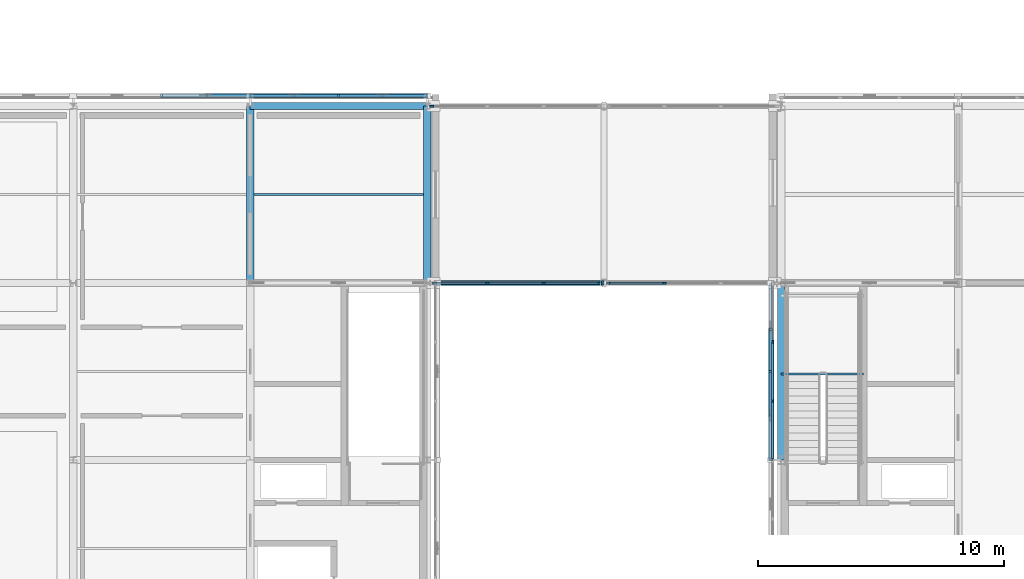
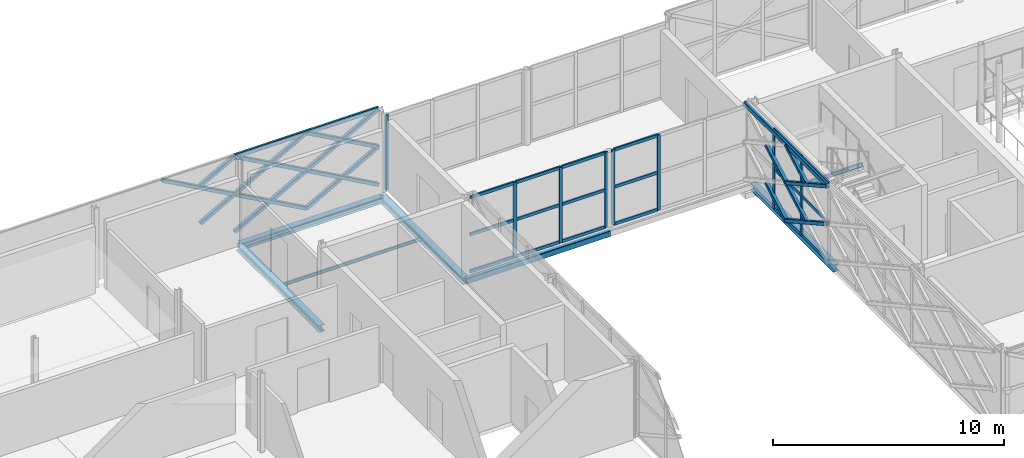
# One storey, part 25 of 126: 49 members, 7 beams, 4 elements without a shape of their own.
"""IFC4 building model written with IfcOpenShell, lengths in metres."""

from ifc_helpers import new_model, si_unit, direction, frame, origin, origin_2d, place, context, subcontext, project, spatial, rectangle, hollow_rectangle, i_section, extrude, material, material_profile, profile_set, type_object, element, aggregate, save


model = new_model("IFC4")

# Units and contexts
model_context = context("Model", 3, precision=1e-05, world=origin(), true_north=direction((0.0, 1.0)))
body_context = subcontext(model_context, "Body", "Model", "MODEL_VIEW")
ifc_project = project(units=[si_unit("LENGTHUNIT", "METRE"), si_unit("AREAUNIT", "SQUARE_METRE"), si_unit("VOLUMEUNIT", "CUBIC_METRE"), si_unit("PLANEANGLEUNIT", "RADIAN"), si_unit("MASSUNIT", "GRAM", prefix="KILO")], contexts=[model_context])

# Site, building, storey
site_placement = place(None, origin())
site = spatial("IfcSite", under=ifc_project, at=site_placement, CompositionType="ELEMENT")
building_placement = place(site_placement, origin())
building = spatial("IfcBuilding", under=site, at=building_placement, Name="Zlatovets Crest Museum", CompositionType="ELEMENT")
storey_placement = place(building_placement, frame((0.0, 0.0, 8.699951171875)))
storey = spatial("IfcBuildingStorey", under=building, at=storey_placement, Name="L02", CompositionType="ELEMENT", Elevation=8.699951171875)

# Beams
ifc_material_1 = material(Name="Structural steel S355J2", Category="steel")
ifc_material_profile_1 = material_profile(ifc_material_1, i_section(OverallWidth=0.300048828125, OverallDepth=0.35009765625, WebThickness=0.010009765625, FlangeThickness=0.017578125, FilletRadius=0.027099609375, at=origin_2d()), Name="HEA 360")
ifc_profile_set_1 = profile_set([ifc_material_profile_1], Name="Structural steel S355J2")
beam_type_1 = type_object("IfcBeamType", Name="Beam_B-03", PredefinedType="BEAM", material=ifc_profile_set_1)
beam_1_placement = place(storey_placement, frame((57.60009765625, 14.39990234375, -0.39501953125), z_axis=(0.0, 1.0, 0.0), x_axis=(-1.0, 0.0, 0.0)))
element("IfcBeam", 1, at=beam_1_placement, inside=storey, type_object=beam_type_1, Name="V2 L02 Grid Beam B-03", PredefinedType="BEAM", context=body_context, shape_type="SweptSolid", body=[
    extrude(i_section(OverallWidth=0.300048828125, OverallDepth=0.35009765625, WebThickness=0.010009765625, FlangeThickness=0.017578125, FilletRadius=0.027099609375, at=origin_2d()), origin(), (0.0, 0.0, 1.0), 7.2001953125),
])
for number, where, z_axis, x_axis, name in (
    (2, (36.0, 21.60009765625, -0.39501953125), (0.0, 1.0, 0.0), (-1.0, 0.0, 0.0), "V3 L02 Grid Beam B-03"),
    (3, (43.199951171875, 21.60009765625, -0.39501953125), (0.0, 1.0, 0.0), (-1.0, 0.0, 0.0), "V3 L02 Grid Beam B-03"),
):
    element("IfcBeam", number, at=place(storey_placement, frame(where, z_axis=z_axis, x_axis=x_axis)), inside=storey, type_object=beam_type_1, Name=name, PredefinedType="BEAM", context=body_context, shape_type="SweptSolid", body=[
        extrude(i_section(OverallWidth=0.300048828125, OverallDepth=0.35009765625, WebThickness=0.010009765625, FlangeThickness=0.017578125, FilletRadius=0.027099609375, at=origin_2d()), origin(), (0.0, 0.0, 1.0), 7.199951171875),
    ])
ifc_material_profile_2 = material_profile(ifc_material_1, i_section(OverallWidth=0.300048828125, OverallDepth=0.330078125, WebThickness=0.009521484375, FlangeThickness=0.0166015625, FilletRadius=0.027099609375, at=origin_2d()), Name="HEA 340")
ifc_profile_set_2 = profile_set([ifc_material_profile_2], Name="Structural steel S355J2")
beam_type_2 = type_object("IfcBeamType", Name="Beam_B-11", PredefinedType="BEAM", material=ifc_profile_set_2)
beam_2_placement = place(storey_placement, frame((36.0, 28.800048828125, -0.385009765625), z_axis=(1.0, 0.0, 0.0), x_axis=(0.0, 1.0, 0.0)))
element("IfcBeam", 4, at=beam_2_placement, inside=storey, type_object=beam_type_2, Name="V3 L02 Primary Girder B-11", PredefinedType="BEAM", context=body_context, shape_type="SweptSolid", body=[
    extrude(i_section(OverallWidth=0.300048828125, OverallDepth=0.330078125, WebThickness=0.009521484375, FlangeThickness=0.0166015625, FilletRadius=0.027099609375, at=origin_2d()), origin(), (0.0, 0.0, 1.0), 7.199951171875),
])
ifc_material_profile_3 = material_profile(ifc_material_1, hollow_rectangle(XDim=0.199951171875, YDim=0.300048828125, WallThickness=0.012451171875, InnerFilletRadius=0.012451171875, OuterFilletRadius=0.02490234375, at=origin_2d()), Name="RHS 200x300x12.5")
ifc_profile_set_3 = profile_set([ifc_material_profile_3], Name="Structural steel S355J2")
beam_type_3 = type_object("IfcBeamType", Name="Beam_BRG-01", PredefinedType="BEAM", material=ifc_profile_set_3)
beam_3_placement = place(storey_placement, frame((43.199951171875, 21.60009765625, -0.369873046875), z_axis=(1.0, 0.0, 0.0), x_axis=(0.0, 1.0, 0.0)))
element("IfcBeam", 5, at=beam_3_placement, inside=storey, type_object=beam_type_3, Name="South Forecourt Glazed Link Bridge L02 Stringer Beam", PredefinedType="BEAM", context=body_context, shape_type="SweptSolid", body=[
    extrude(hollow_rectangle(XDim=0.199951171875, YDim=0.300048828125, WallThickness=0.012451171875, InnerFilletRadius=0.012451171875, OuterFilletRadius=0.02490234375, at=origin_2d()), origin(), (0.0, 0.0, 1.0), 7.199951171875),
])
ifc_material_profile_4 = material_profile(ifc_material_1, i_section(OverallWidth=0.08203125, OverallDepth=0.159912109375, WebThickness=0.0048828125, FlangeThickness=0.00732421875, FilletRadius=0.009033203125, at=origin_2d()), Name="IPE 160")
ifc_profile_set_4 = profile_set([ifc_material_profile_4], Name="Structural steel S355J2")
beam_type_4 = type_object("IfcBeamType", Name="Beam_J-12", PredefinedType="JOIST", material=ifc_profile_set_4)
beam_4_placement = place(storey_placement, frame((36.14990234375, 25.199951171875, -0.300048828125), z_axis=(1.0, 0.0, 0.0), x_axis=(0.0, 1.0, 0.0)))
element("IfcBeam", 6, at=beam_4_placement, inside=storey, type_object=beam_type_4, Name="V3 L02 Composite Joist J-12", PredefinedType="JOIST", context=body_context, shape_type="SweptSolid", body=[
    extrude(i_section(OverallWidth=0.08203125, OverallDepth=0.159912109375, WebThickness=0.0048828125, FlangeThickness=0.00732421875, FilletRadius=0.009033203125, at=origin_2d()), origin(), (0.0, 0.0, 1.0), 6.900146484375),
])
ifc_material_profile_5 = material_profile(ifc_material_1, i_section(OverallWidth=0.10009765625, OverallDepth=0.199951171875, WebThickness=0.005615234375, FlangeThickness=0.008544921875, FilletRadius=0.011962890625, at=origin_2d()), Name="IPE 200")
ifc_profile_set_5 = profile_set([ifc_material_profile_5], Name="Structural steel S355J2")
beam_type_5 = type_object("IfcBeamType", Name="Beam_PR-02", PredefinedType="LINTEL", material=ifc_profile_set_5)
beam_5_placement = place(storey_placement, frame((57.60009765625, 17.89990234375, 1.800048828125), z_axis=(1.0, 0.0, 0.0), x_axis=(0.0, 1.0, 0.0)))
element("IfcBeam", 7, at=beam_5_placement, inside=storey, type_object=beam_type_5, Name="Core C2 L02 Half-Landing Support Beam", PredefinedType="LINTEL", context=body_context, shape_type="SweptSolid", body=[
    extrude(i_section(OverallWidth=0.10009765625, OverallDepth=0.199951171875, WebThickness=0.005615234375, FlangeThickness=0.008544921875, FilletRadius=0.011962890625, at=origin_2d()), origin(), (0.0, 0.0, 1.0), 3.349853515625),
])

# Curtain wall, members
ifc_material_2 = material(Name="Bronze-anodised aluminium and low-E triple glass", Category="aluminium")
curtain_wall_type_1 = type_object("IfcCurtainWallType", Name="CW_CW-V2-L02-M3", PredefinedType="NOTDEFINED", material=ifc_material_2)
curtain_wall_1_placement = place(storey_placement, origin())
curtain_wall_1 = element("IfcCurtainWall", 8, at=curtain_wall_1_placement, inside=storey, type_object=curtain_wall_type_1, Name="V2 L02 Expressed Core Glazed Facade", PredefinedType="NOTDEFINED")
ifc_material_3 = material(Name="Bronze-anodised aluminium EN AW-6060", Category="aluminium")
ifc_material_profile_6 = material_profile(ifc_material_3, rectangle(XDim=0.080078125, YDim=0.159912109375, at=origin_2d()), Name="ALU 80x160")
ifc_profile_set_6 = profile_set([ifc_material_profile_6], Name="Bronze-anodised aluminium EN AW-6060")
member_type_1 = type_object("IfcMemberType", Name="CWMull_M1", PredefinedType="MULLION", material=ifc_profile_set_6)
member_1_placement = place(storey_placement, frame((57.260009765625, 19.199951171875, 0.0), z_axis=(0.0, 0.0, 1.0), x_axis=(1.0, 0.0, 0.0)))
member_1 = element("IfcMember", 9, at=member_1_placement, type_object=member_type_1, Name="CW-V2-L02-M3 mullion 2", PredefinedType="MULLION", context=body_context, shape_type="SweptSolid", body=[
    extrude(rectangle(XDim=0.080078125, YDim=0.159912109375, at=origin_2d()), origin(), (0.0, 0.0, 1.0), 4.199951171875),
])
member_2_placement = place(storey_placement, frame((57.260009765625, 16.800048828125, 0.0), z_axis=(0.0, 0.0, 1.0), x_axis=(1.0, 0.0, 0.0)))
member_2 = element("IfcMember", 10, at=member_2_placement, type_object=member_type_1, Name="CW-V2-L02-M3 mullion 3", PredefinedType="MULLION", context=body_context, shape_type="SweptSolid", body=[
    extrude(rectangle(XDim=0.080078125, YDim=0.159912109375, at=origin_2d()), origin(), (0.0, 0.0, 1.0), 4.199951171875),
])

curtain_wall_type_2 = type_object("IfcCurtainWallType", Name="CW_CW-BR1-L02-S69", PredefinedType="NOTDEFINED", material=ifc_material_2)
curtain_wall_2_placement = place(storey_placement, origin())
curtain_wall_2 = element("IfcCurtainWall", 11, at=curtain_wall_2_placement, inside=storey, type_object=curtain_wall_type_2, Name="South Forecourt Glazed Link Bridge L02 Glazed Bridge Curtain Wall", PredefinedType="NOTDEFINED")
member_3_placement = place(storey_placement, frame((45.64990234375, 21.60009765625, 0.0), z_axis=(0.0, 0.0, 1.0), x_axis=(0.0, 1.0, 0.0)))
member_3 = element("IfcMember", 12, at=member_3_placement, type_object=member_type_1, Name="CW-BR1-L02-S69 mullion 2", PredefinedType="MULLION", context=body_context, shape_type="SweptSolid", body=[
    extrude(rectangle(XDim=0.080078125, YDim=0.159912109375, at=origin_2d()), origin(), (0.0, 0.0, 1.0), 3.97998046875),
])
member_4_placement = place(storey_placement, frame((47.949951171875, 21.60009765625, 0.0), z_axis=(0.0, 0.0, 1.0), x_axis=(0.0, 1.0, 0.0)))
member_4 = element("IfcMember", 13, at=member_4_placement, type_object=member_type_1, Name="CW-BR1-L02-S69 mullion 3", PredefinedType="MULLION", context=body_context, shape_type="SweptSolid", body=[
    extrude(rectangle(XDim=0.080078125, YDim=0.159912109375, at=origin_2d()), origin(), (0.0, 0.0, 1.0), 3.97998046875),
])
member_5_placement = place(storey_placement, frame((50.219970703125, 21.60009765625, 0.0), z_axis=(0.0, 0.0, 1.0), x_axis=(0.0, 1.0, 0.0)))
member_5 = element("IfcMember", 14, at=member_5_placement, type_object=member_type_1, Name="CW-BR1-L02-S69 mullion 4", PredefinedType="MULLION", context=body_context, shape_type="SweptSolid", body=[
    extrude(rectangle(XDim=0.080078125, YDim=0.159912109375, at=origin_2d()), origin(), (0.0, 0.0, 1.0), 3.97998046875),
])

curtain_wall_3_placement = place(storey_placement, origin())
curtain_wall_3 = element("IfcCurtainWall", 15, at=curtain_wall_3_placement, inside=storey, type_object=curtain_wall_type_2, Name="South Forecourt Glazed Link Bridge L02 Glazed Bridge Curtain Wall", PredefinedType="NOTDEFINED")
member_6_placement = place(storey_placement, frame((50.580078125, 21.60009765625, 0.0), z_axis=(0.0, 0.0, 1.0), x_axis=(0.0, 1.0, 0.0)))
member_6 = element("IfcMember", 16, at=member_6_placement, type_object=member_type_1, Name="CW-BR1-L02-S69 mullion 1", PredefinedType="MULLION", context=body_context, shape_type="SweptSolid", body=[
    extrude(rectangle(XDim=0.080078125, YDim=0.159912109375, at=origin_2d()), origin(), (0.0, 0.0, 1.0), 3.97998046875),
])
member_7_placement = place(storey_placement, frame((52.85009765625, 21.60009765625, 0.0), z_axis=(0.0, 0.0, 1.0), x_axis=(0.0, 1.0, 0.0)))
member_7 = element("IfcMember", 17, at=member_7_placement, type_object=member_type_1, Name="CW-BR1-L02-S69 mullion 2", PredefinedType="MULLION", context=body_context, shape_type="SweptSolid", body=[
    extrude(rectangle(XDim=0.080078125, YDim=0.159912109375, at=origin_2d()), origin(), (0.0, 0.0, 1.0), 3.97998046875),
])

# Curtain wall, member
curtain_wall_4_placement = place(storey_placement, origin())
curtain_wall_4 = element("IfcCurtainWall", 18, at=curtain_wall_4_placement, inside=storey, type_object=curtain_wall_type_2, Name="South Forecourt Glazed Link Bridge L02 Glazed Bridge Curtain Wall", PredefinedType="NOTDEFINED")
member_8_placement = place(storey_placement, frame((43.3798828125, 28.800048828125, 0.0), z_axis=(0.0, 0.0, 1.0), x_axis=(0.0, 1.0, 0.0)))
member_8 = element("IfcMember", 19, at=member_8_placement, type_object=member_type_1, Name="CW-BR1-L02-S69 mullion 1", PredefinedType="MULLION", context=body_context, shape_type="SweptSolid", body=[
    extrude(rectangle(XDim=0.080078125, YDim=0.159912109375, at=origin_2d()), origin(), (0.0, 0.0, 1.0), 3.97998046875),
])
aggregate(curtain_wall_4, [member_8])

# Member
ifc_material_profile_7 = material_profile(ifc_material_3, rectangle(XDim=0.080078125, YDim=0.159912109375, at=origin_2d()), Name="ALU 80x160")
ifc_profile_set_7 = profile_set([ifc_material_profile_7], Name="Bronze-anodised aluminium EN AW-6060")
member_type_2 = type_object("IfcMemberType", Name="CWTrans_T1", PredefinedType="USERDEFINED", material=ifc_profile_set_7)
member_9_placement = place(storey_placement, frame((57.260009765625, 19.169921875, 0.030029296875), z_axis=(0.0, -1.0, 0.0), x_axis=(1.0, 0.0, 0.0)))
member_9 = element("IfcMember", 20, at=member_9_placement, type_object=member_type_2, Name="CW-V2-L02-M3 transom 2.1", ObjectType="TRANSOM", PredefinedType="USERDEFINED", context=body_context, shape_type="SweptSolid", body=[
    extrude(rectangle(XDim=0.080078125, YDim=0.159912109375, at=origin_2d()), origin(), (0.0, 0.0, 1.0), 2.33984375),
])

member_10_placement = place(storey_placement, frame((57.260009765625, 19.169921875, 2.10009765625), z_axis=(0.0, -1.0, 0.0), x_axis=(1.0, 0.0, 0.0)))
member_10 = element("IfcMember", 21, at=member_10_placement, type_object=member_type_2, Name="CW-V2-L02-M3 transom 2.2", ObjectType="TRANSOM", PredefinedType="USERDEFINED", context=body_context, shape_type="SweptSolid", body=[
    extrude(rectangle(XDim=0.080078125, YDim=0.159912109375, at=origin_2d()), origin(), (0.0, 0.0, 1.0), 2.33984375),
])

member_11_placement = place(storey_placement, frame((57.260009765625, 19.169921875, 4.170166015625), z_axis=(0.0, -1.0, 0.0), x_axis=(1.0, 0.0, 0.0)))
member_11 = element("IfcMember", 22, at=member_11_placement, type_object=member_type_2, Name="CW-V2-L02-M3 transom 2.3", ObjectType="TRANSOM", PredefinedType="USERDEFINED", context=body_context, shape_type="SweptSolid", body=[
    extrude(rectangle(XDim=0.080078125, YDim=0.159912109375, at=origin_2d()), origin(), (0.0, 0.0, 1.0), 2.33984375),
])

member_12_placement = place(storey_placement, frame((57.260009765625, 16.77001953125, 0.030029296875), z_axis=(0.0, -1.0, 0.0), x_axis=(1.0, 0.0, 0.0)))
member_12 = element("IfcMember", 23, at=member_12_placement, type_object=member_type_2, Name="CW-V2-L02-M3 transom 3.1", ObjectType="TRANSOM", PredefinedType="USERDEFINED", context=body_context, shape_type="SweptSolid", body=[
    extrude(rectangle(XDim=0.080078125, YDim=0.159912109375, at=origin_2d()), origin(), (0.0, 0.0, 1.0), 2.31005859375),
])

member_13_placement = place(storey_placement, frame((57.260009765625, 16.77001953125, 2.10009765625), z_axis=(0.0, -1.0, 0.0), x_axis=(1.0, 0.0, 0.0)))
member_13 = element("IfcMember", 24, at=member_13_placement, type_object=member_type_2, Name="CW-V2-L02-M3 transom 3.2", ObjectType="TRANSOM", PredefinedType="USERDEFINED", context=body_context, shape_type="SweptSolid", body=[
    extrude(rectangle(XDim=0.080078125, YDim=0.159912109375, at=origin_2d()), origin(), (0.0, 0.0, 1.0), 2.31005859375),
])

member_14_placement = place(storey_placement, frame((57.260009765625, 16.77001953125, 4.170166015625), z_axis=(0.0, -1.0, 0.0), x_axis=(1.0, 0.0, 0.0)))
member_14 = element("IfcMember", 25, at=member_14_placement, type_object=member_type_2, Name="CW-V2-L02-M3 transom 3.3", ObjectType="TRANSOM", PredefinedType="USERDEFINED", context=body_context, shape_type="SweptSolid", body=[
    extrude(rectangle(XDim=0.080078125, YDim=0.159912109375, at=origin_2d()), origin(), (0.0, 0.0, 1.0), 2.31005859375),
])

aggregate(curtain_wall_1, [member_1, member_2, member_9, member_10, member_11, member_12, member_13, member_14])

member_15_placement = place(storey_placement, frame((43.409912109375, 21.60009765625, 0.030029296875), z_axis=(1.0, 0.0, 0.0), x_axis=(0.0, 1.0, 0.0)))
member_15 = element("IfcMember", 26, at=member_15_placement, type_object=member_type_2, Name="CW-BR1-L02-S69 transom 1.1", ObjectType="TRANSOM", PredefinedType="USERDEFINED", context=body_context, shape_type="SweptSolid", body=[
    extrude(rectangle(XDim=0.080078125, YDim=0.159912109375, at=origin_2d()), origin(), (0.0, 0.0, 1.0), 2.210205078125),
])

member_16_placement = place(storey_placement, frame((43.409912109375, 21.60009765625, 1.989990234375), z_axis=(1.0, 0.0, 0.0), x_axis=(0.0, 1.0, 0.0)))
member_16 = element("IfcMember", 27, at=member_16_placement, type_object=member_type_2, Name="CW-BR1-L02-S69 transom 1.2", ObjectType="TRANSOM", PredefinedType="USERDEFINED", context=body_context, shape_type="SweptSolid", body=[
    extrude(rectangle(XDim=0.080078125, YDim=0.159912109375, at=origin_2d()), origin(), (0.0, 0.0, 1.0), 2.210205078125),
])

member_17_placement = place(storey_placement, frame((43.409912109375, 21.60009765625, 3.949951171875), z_axis=(1.0, 0.0, 0.0), x_axis=(0.0, 1.0, 0.0)))
member_17 = element("IfcMember", 28, at=member_17_placement, type_object=member_type_2, Name="CW-BR1-L02-S69 transom 1.3", ObjectType="TRANSOM", PredefinedType="USERDEFINED", context=body_context, shape_type="SweptSolid", body=[
    extrude(rectangle(XDim=0.080078125, YDim=0.159912109375, at=origin_2d()), origin(), (0.0, 0.0, 1.0), 2.210205078125),
])

member_18_placement = place(storey_placement, frame((45.679931640625, 21.60009765625, 0.030029296875), z_axis=(1.0, 0.0, 0.0), x_axis=(0.0, 1.0, 0.0)))
member_18 = element("IfcMember", 29, at=member_18_placement, type_object=member_type_2, Name="CW-BR1-L02-S69 transom 2.1", ObjectType="TRANSOM", PredefinedType="USERDEFINED", context=body_context, shape_type="SweptSolid", body=[
    extrude(rectangle(XDim=0.080078125, YDim=0.159912109375, at=origin_2d()), origin(), (0.0, 0.0, 1.0), 2.239990234375),
])

member_19_placement = place(storey_placement, frame((45.679931640625, 21.60009765625, 1.989990234375), z_axis=(1.0, 0.0, 0.0), x_axis=(0.0, 1.0, 0.0)))
member_19 = element("IfcMember", 30, at=member_19_placement, type_object=member_type_2, Name="CW-BR1-L02-S69 transom 2.2", ObjectType="TRANSOM", PredefinedType="USERDEFINED", context=body_context, shape_type="SweptSolid", body=[
    extrude(rectangle(XDim=0.080078125, YDim=0.159912109375, at=origin_2d()), origin(), (0.0, 0.0, 1.0), 2.239990234375),
])

member_20_placement = place(storey_placement, frame((45.679931640625, 21.60009765625, 3.949951171875), z_axis=(1.0, 0.0, 0.0), x_axis=(0.0, 1.0, 0.0)))
member_20 = element("IfcMember", 31, at=member_20_placement, type_object=member_type_2, Name="CW-BR1-L02-S69 transom 2.3", ObjectType="TRANSOM", PredefinedType="USERDEFINED", context=body_context, shape_type="SweptSolid", body=[
    extrude(rectangle(XDim=0.080078125, YDim=0.159912109375, at=origin_2d()), origin(), (0.0, 0.0, 1.0), 2.239990234375),
])

member_21_placement = place(storey_placement, frame((47.97998046875, 21.60009765625, 0.030029296875), z_axis=(1.0, 0.0, 0.0), x_axis=(0.0, 1.0, 0.0)))
member_21 = element("IfcMember", 32, at=member_21_placement, type_object=member_type_2, Name="CW-BR1-L02-S69 transom 3.1", ObjectType="TRANSOM", PredefinedType="USERDEFINED", context=body_context, shape_type="SweptSolid", body=[
    extrude(rectangle(XDim=0.080078125, YDim=0.159912109375, at=origin_2d()), origin(), (0.0, 0.0, 1.0), 2.2099609375),
])

member_22_placement = place(storey_placement, frame((47.97998046875, 21.60009765625, 1.989990234375), z_axis=(1.0, 0.0, 0.0), x_axis=(0.0, 1.0, 0.0)))
member_22 = element("IfcMember", 33, at=member_22_placement, type_object=member_type_2, Name="CW-BR1-L02-S69 transom 3.2", ObjectType="TRANSOM", PredefinedType="USERDEFINED", context=body_context, shape_type="SweptSolid", body=[
    extrude(rectangle(XDim=0.080078125, YDim=0.159912109375, at=origin_2d()), origin(), (0.0, 0.0, 1.0), 2.2099609375),
])

member_23_placement = place(storey_placement, frame((47.97998046875, 21.60009765625, 3.949951171875), z_axis=(1.0, 0.0, 0.0), x_axis=(0.0, 1.0, 0.0)))
member_23 = element("IfcMember", 34, at=member_23_placement, type_object=member_type_2, Name="CW-BR1-L02-S69 transom 3.3", ObjectType="TRANSOM", PredefinedType="USERDEFINED", context=body_context, shape_type="SweptSolid", body=[
    extrude(rectangle(XDim=0.080078125, YDim=0.159912109375, at=origin_2d()), origin(), (0.0, 0.0, 1.0), 2.2099609375),
])

aggregate(curtain_wall_2, [member_3, member_4, member_5, member_15, member_16, member_17, member_18, member_19, member_20, member_21, member_22, member_23])

member_24_placement = place(storey_placement, frame((50.610107421875, 21.60009765625, 0.030029296875), z_axis=(1.0, 0.0, 0.0), x_axis=(0.0, 1.0, 0.0)))
member_24 = element("IfcMember", 35, at=member_24_placement, type_object=member_type_2, Name="CW-BR1-L02-S69 transom 1.1", ObjectType="TRANSOM", PredefinedType="USERDEFINED", context=body_context, shape_type="SweptSolid", body=[
    extrude(rectangle(XDim=0.080078125, YDim=0.159912109375, at=origin_2d()), origin(), (0.0, 0.0, 1.0), 2.2099609375),
])

member_25_placement = place(storey_placement, frame((50.610107421875, 21.60009765625, 1.989990234375), z_axis=(1.0, 0.0, 0.0), x_axis=(0.0, 1.0, 0.0)))
member_25 = element("IfcMember", 36, at=member_25_placement, type_object=member_type_2, Name="CW-BR1-L02-S69 transom 1.2", ObjectType="TRANSOM", PredefinedType="USERDEFINED", context=body_context, shape_type="SweptSolid", body=[
    extrude(rectangle(XDim=0.080078125, YDim=0.159912109375, at=origin_2d()), origin(), (0.0, 0.0, 1.0), 2.2099609375),
])

member_26_placement = place(storey_placement, frame((50.610107421875, 21.60009765625, 3.949951171875), z_axis=(1.0, 0.0, 0.0), x_axis=(0.0, 1.0, 0.0)))
member_26 = element("IfcMember", 37, at=member_26_placement, type_object=member_type_2, Name="CW-BR1-L02-S69 transom 1.3", ObjectType="TRANSOM", PredefinedType="USERDEFINED", context=body_context, shape_type="SweptSolid", body=[
    extrude(rectangle(XDim=0.080078125, YDim=0.159912109375, at=origin_2d()), origin(), (0.0, 0.0, 1.0), 2.2099609375),
])

aggregate(curtain_wall_3, [member_6, member_7, member_24, member_25, member_26])

# Members
ifc_material_4 = material(Name="Weathering bronze-steel S355J2W", Category="steel")
ifc_material_profile_8 = material_profile(ifc_material_4, hollow_rectangle(XDim=0.179931640625, YDim=0.179931640625, WallThickness=0.010009765625, InnerFilletRadius=0.010009765625, OuterFilletRadius=0.02001953125, at=origin_2d()), Name="SHS 180x180x10.0")
ifc_profile_set_8 = profile_set([ifc_material_profile_8], Name="Weathering bronze-steel S355J2W")
member_type_3 = type_object("IfcMemberType", Name="Lattice_XL-01", PredefinedType="BRACE", material=ifc_profile_set_8)
member_27_placement = place(storey_placement, frame((57.179931640625, 19.717041015625, 1.053955078125), z_axis=(0.0, -0.874169001841, -0.485621824284), x_axis=(1.0, 0.0, 0.0)))
element("IfcMember", 38, at=member_27_placement, inside=storey, type_object=member_type_3, Name="Split Crossing Bronze Lattice Diagonal Lower", PredefinedType="BRACE", context=body_context, shape_type="SweptSolid", body=[
    extrude(hollow_rectangle(XDim=0.179931640625, YDim=0.179931640625, WallThickness=0.010009765625, InnerFilletRadius=0.010009765625, OuterFilletRadius=0.02001953125, at=origin_2d()), origin(), (0.0, 0.0, 1.0), 1.964111328125),
])
member_28_placement = place(storey_placement, frame((57.179931640625, 18.0, 0.10009765625), z_axis=(0.0, -0.874162868644, 0.485632864501), x_axis=(1.0, 0.0, 0.0)))
element("IfcMember", 39, at=member_28_placement, inside=storey, type_object=member_type_3, Name="Continuous Bronze Lattice Diagonal", PredefinedType="BRACE", context=body_context, shape_type="SweptSolid", body=[
    extrude(hollow_rectangle(XDim=0.179931640625, YDim=0.179931640625, WallThickness=0.010009765625, InnerFilletRadius=0.010009765625, OuterFilletRadius=0.02001953125, at=origin_2d()), origin(), (0.0, 0.0, 1.0), 4.118408203125),
])
for number, where, z_axis, x_axis, name in (
    (40, (57.179931640625, 18.0, 2.10009765625), (0.0, -0.874169001841, -0.485621824284), (1.0, 0.0, 0.0), "Split Crossing Bronze Lattice Diagonal Upper"),
    (41, (57.179931640625, 19.717041015625, 3.053955078125), (0.0, -0.874169001841, -0.485621824284), (1.0, 0.0, 0.0), "Split Crossing Bronze Lattice Diagonal Lower"),
):
    element("IfcMember", number, at=place(storey_placement, frame(where, z_axis=z_axis, x_axis=x_axis)), inside=storey, type_object=member_type_3, Name=name, PredefinedType="BRACE", context=body_context, shape_type="SweptSolid", body=[
        extrude(hollow_rectangle(XDim=0.179931640625, YDim=0.179931640625, WallThickness=0.010009765625, InnerFilletRadius=0.010009765625, OuterFilletRadius=0.02001953125, at=origin_2d()), origin(), (0.0, 0.0, 1.0), 1.964111328125),
    ])
member_29_placement = place(storey_placement, frame((57.179931640625, 18.0, 2.10009765625), z_axis=(0.0, -0.874162868644, 0.485632864501), x_axis=(1.0, 0.0, 0.0)))
element("IfcMember", 42, at=member_29_placement, inside=storey, type_object=member_type_3, Name="Continuous Bronze Lattice Diagonal", PredefinedType="BRACE", context=body_context, shape_type="SweptSolid", body=[
    extrude(hollow_rectangle(XDim=0.179931640625, YDim=0.179931640625, WallThickness=0.010009765625, InnerFilletRadius=0.010009765625, OuterFilletRadius=0.02001953125, at=origin_2d()), origin(), (0.0, 0.0, 1.0), 4.118408203125),
])
member_30_placement = place(storey_placement, frame((57.179931640625, 18.0, 4.10009765625), z_axis=(0.0, -0.874169001841, -0.485621824284), x_axis=(1.0, 0.0, 0.0)))
element("IfcMember", 43, at=member_30_placement, inside=storey, type_object=member_type_3, Name="Split Crossing Bronze Lattice Diagonal Upper", PredefinedType="BRACE", context=body_context, shape_type="SweptSolid", body=[
    extrude(hollow_rectangle(XDim=0.179931640625, YDim=0.179931640625, WallThickness=0.010009765625, InnerFilletRadius=0.010009765625, OuterFilletRadius=0.02001953125, at=origin_2d()), origin(), (0.0, 0.0, 1.0), 1.964111328125),
])
member_31_placement = place(storey_placement, frame((43.199951171875, 29.219970703125, 0.10009765625), z_axis=(-0.874148886685, 0.0, 0.485658031857), x_axis=(0.0, -1.0, 0.0)))
element("IfcMember", 44, at=member_31_placement, inside=storey, type_object=member_type_3, Name="Continuous Bronze Lattice Diagonal", PredefinedType="BRACE", context=body_context, shape_type="SweptSolid", body=[
    extrude(hollow_rectangle(XDim=0.179931640625, YDim=0.179931640625, WallThickness=0.010009765625, InnerFilletRadius=0.010009765625, OuterFilletRadius=0.02001953125, at=origin_2d()), origin(), (0.0, 0.0, 1.0), 4.1181640625),
])
member_32_placement = place(storey_placement, frame((43.199951171875, 29.219970703125, 2.10009765625), z_axis=(-0.874169001841, 0.0, -0.485621824284), x_axis=(0.0, -1.0, 0.0)))
element("IfcMember", 45, at=member_32_placement, inside=storey, type_object=member_type_3, Name="Split Crossing Bronze Lattice Diagonal Upper", PredefinedType="BRACE", context=body_context, shape_type="SweptSolid", body=[
    extrude(hollow_rectangle(XDim=0.179931640625, YDim=0.179931640625, WallThickness=0.010009765625, InnerFilletRadius=0.010009765625, OuterFilletRadius=0.02001953125, at=origin_2d()), origin(), (0.0, 0.0, 1.0), 1.964111328125),
])
member_33_placement = place(storey_placement, frame((41.31689453125, 29.219970703125, 1.053955078125), z_axis=(-0.874139684676, 0.0, -0.48567459443), x_axis=(0.0, -1.0, 0.0)))
element("IfcMember", 46, at=member_33_placement, inside=storey, type_object=member_type_3, Name="Split Crossing Bronze Lattice Diagonal Lower", PredefinedType="BRACE", context=body_context, shape_type="SweptSolid", body=[
    extrude(hollow_rectangle(XDim=0.179931640625, YDim=0.179931640625, WallThickness=0.010009765625, InnerFilletRadius=0.010009765625, OuterFilletRadius=0.02001953125, at=origin_2d()), origin(), (0.0, 0.0, 1.0), 1.9638671875),
])
member_34_placement = place(storey_placement, frame((39.60009765625, 29.219970703125, 0.10009765625), z_axis=(-0.874162868644, 0.0, 0.485632864501), x_axis=(0.0, -1.0, 0.0)))
element("IfcMember", 47, at=member_34_placement, inside=storey, type_object=member_type_3, Name="Continuous Bronze Lattice Diagonal", PredefinedType="BRACE", context=body_context, shape_type="SweptSolid", body=[
    extrude(hollow_rectangle(XDim=0.179931640625, YDim=0.179931640625, WallThickness=0.010009765625, InnerFilletRadius=0.010009765625, OuterFilletRadius=0.02001953125, at=origin_2d()), origin(), (0.0, 0.0, 1.0), 4.118408203125),
])
for number, where, z_axis, x_axis, name in (
    (48, (39.60009765625, 29.219970703125, 2.10009765625), (-0.874169001841, 0.0, -0.485621824284), (0.0, -1.0, 0.0), "Split Crossing Bronze Lattice Diagonal Upper"),
    (49, (37.717041015625, 29.219970703125, 1.053955078125), (-0.874169001841, 0.0, -0.485621824284), (0.0, -1.0, 0.0), "Split Crossing Bronze Lattice Diagonal Lower"),
):
    element("IfcMember", number, at=place(storey_placement, frame(where, z_axis=z_axis, x_axis=x_axis)), inside=storey, type_object=member_type_3, Name=name, PredefinedType="BRACE", context=body_context, shape_type="SweptSolid", body=[
        extrude(hollow_rectangle(XDim=0.179931640625, YDim=0.179931640625, WallThickness=0.010009765625, InnerFilletRadius=0.010009765625, OuterFilletRadius=0.02001953125, at=origin_2d()), origin(), (0.0, 0.0, 1.0), 1.964111328125),
    ])
member_35_placement = place(storey_placement, frame((43.199951171875, 29.219970703125, 2.10009765625), z_axis=(-0.874148886685, 0.0, 0.485658031857), x_axis=(0.0, -1.0, 0.0)))
element("IfcMember", 50, at=member_35_placement, inside=storey, type_object=member_type_3, Name="Continuous Bronze Lattice Diagonal", PredefinedType="BRACE", context=body_context, shape_type="SweptSolid", body=[
    extrude(hollow_rectangle(XDim=0.179931640625, YDim=0.179931640625, WallThickness=0.010009765625, InnerFilletRadius=0.010009765625, OuterFilletRadius=0.02001953125, at=origin_2d()), origin(), (0.0, 0.0, 1.0), 4.1181640625),
])
member_36_placement = place(storey_placement, frame((43.199951171875, 29.219970703125, 4.10009765625), z_axis=(-0.874169001841, 0.0, -0.485621824284), x_axis=(0.0, -1.0, 0.0)))
element("IfcMember", 51, at=member_36_placement, inside=storey, type_object=member_type_3, Name="Split Crossing Bronze Lattice Diagonal Upper", PredefinedType="BRACE", context=body_context, shape_type="SweptSolid", body=[
    extrude(hollow_rectangle(XDim=0.179931640625, YDim=0.179931640625, WallThickness=0.010009765625, InnerFilletRadius=0.010009765625, OuterFilletRadius=0.02001953125, at=origin_2d()), origin(), (0.0, 0.0, 1.0), 1.964111328125),
])
member_37_placement = place(storey_placement, frame((41.31689453125, 29.219970703125, 3.053955078125), z_axis=(-0.874139684676, 0.0, -0.48567459443), x_axis=(0.0, -1.0, 0.0)))
element("IfcMember", 52, at=member_37_placement, inside=storey, type_object=member_type_3, Name="Split Crossing Bronze Lattice Diagonal Lower", PredefinedType="BRACE", context=body_context, shape_type="SweptSolid", body=[
    extrude(hollow_rectangle(XDim=0.179931640625, YDim=0.179931640625, WallThickness=0.010009765625, InnerFilletRadius=0.010009765625, OuterFilletRadius=0.02001953125, at=origin_2d()), origin(), (0.0, 0.0, 1.0), 1.9638671875),
])
member_38_placement = place(storey_placement, frame((39.60009765625, 29.219970703125, 2.10009765625), z_axis=(-0.874162868644, 0.0, 0.485632864501), x_axis=(0.0, -1.0, 0.0)))
element("IfcMember", 53, at=member_38_placement, inside=storey, type_object=member_type_3, Name="Continuous Bronze Lattice Diagonal", PredefinedType="BRACE", context=body_context, shape_type="SweptSolid", body=[
    extrude(hollow_rectangle(XDim=0.179931640625, YDim=0.179931640625, WallThickness=0.010009765625, InnerFilletRadius=0.010009765625, OuterFilletRadius=0.02001953125, at=origin_2d()), origin(), (0.0, 0.0, 1.0), 4.118408203125),
])
for number, where, z_axis, x_axis, name in (
    (54, (39.60009765625, 29.219970703125, 4.10009765625), (-0.874169001841, 0.0, -0.485621824284), (0.0, -1.0, 0.0), "Split Crossing Bronze Lattice Diagonal Upper"),
    (55, (37.717041015625, 29.219970703125, 3.053955078125), (-0.874169001841, 0.0, -0.485621824284), (0.0, -1.0, 0.0), "Split Crossing Bronze Lattice Diagonal Lower"),
    (56, (36.0, 29.219970703125, 2.10009765625), (-0.874169001841, 0.0, -0.485621824284), (0.0, -1.0, 0.0), "Split Crossing Bronze Lattice Diagonal Upper"),
):
    element("IfcMember", number, at=place(storey_placement, frame(where, z_axis=z_axis, x_axis=x_axis)), inside=storey, type_object=member_type_3, Name=name, PredefinedType="BRACE", context=body_context, shape_type="SweptSolid", body=[
        extrude(hollow_rectangle(XDim=0.179931640625, YDim=0.179931640625, WallThickness=0.010009765625, InnerFilletRadius=0.010009765625, OuterFilletRadius=0.02001953125, at=origin_2d()), origin(), (0.0, 0.0, 1.0), 1.964111328125),
    ])
member_39_placement = place(storey_placement, frame((36.0, 29.219970703125, 2.10009765625), z_axis=(-0.874162868644, 0.0, 0.485632864501), x_axis=(0.0, -1.0, 0.0)))
element("IfcMember", 57, at=member_39_placement, inside=storey, type_object=member_type_3, Name="Continuous Bronze Lattice Diagonal", PredefinedType="BRACE", context=body_context, shape_type="SweptSolid", body=[
    extrude(hollow_rectangle(XDim=0.179931640625, YDim=0.179931640625, WallThickness=0.010009765625, InnerFilletRadius=0.010009765625, OuterFilletRadius=0.02001953125, at=origin_2d()), origin(), (0.0, 0.0, 1.0), 4.118408203125),
])
member_40_placement = place(storey_placement, frame((36.0, 29.219970703125, 4.10009765625), z_axis=(-0.874169001841, 0.0, -0.485621824284), x_axis=(0.0, -1.0, 0.0)))
element("IfcMember", 58, at=member_40_placement, inside=storey, type_object=member_type_3, Name="Split Crossing Bronze Lattice Diagonal Upper", PredefinedType="BRACE", context=body_context, shape_type="SweptSolid", body=[
    extrude(hollow_rectangle(XDim=0.179931640625, YDim=0.179931640625, WallThickness=0.010009765625, InnerFilletRadius=0.010009765625, OuterFilletRadius=0.02001953125, at=origin_2d()), origin(), (0.0, 0.0, 1.0), 1.964111328125),
])
ifc_material_profile_9 = material_profile(ifc_material_4, hollow_rectangle(XDim=0.1201171875, YDim=0.239990234375, WallThickness=0.010009765625, InnerFilletRadius=0.010009765625, OuterFilletRadius=0.02001953125, at=origin_2d()), Name="RHS 120x240x10.0")
ifc_profile_set_9 = profile_set([ifc_material_profile_9], Name="Weathering bronze-steel S355J2W")
member_type_4 = type_object("IfcMemberType", Name="Lattice_XL-04", PredefinedType="CHORD", material=ifc_profile_set_9)
member_41_placement = place(storey_placement, frame((57.179931640625, 21.60009765625, 4.10009765625), z_axis=(0.0, -1.0, 0.0), x_axis=(1.0, 0.0, 0.0)))
element("IfcMember", 59, at=member_41_placement, inside=storey, type_object=member_type_4, Name="Art Nouveau Woven Cage Collector Ring Chord", PredefinedType="CHORD", context=body_context, shape_type="SweptSolid", body=[
    extrude(hollow_rectangle(XDim=0.1201171875, YDim=0.239990234375, WallThickness=0.010009765625, InnerFilletRadius=0.010009765625, OuterFilletRadius=0.02001953125, at=origin_2d()), origin(), (0.0, 0.0, 1.0), 7.2001953125),
])
member_42_placement = place(storey_placement, frame((43.199951171875, 29.219970703125, 4.10009765625), z_axis=(-1.0, 0.0, 0.0), x_axis=(0.0, -1.0, 0.0)))
element("IfcMember", 60, at=member_42_placement, inside=storey, type_object=member_type_4, Name="Art Nouveau Woven Cage Collector Ring Chord", PredefinedType="CHORD", context=body_context, shape_type="SweptSolid", body=[
    extrude(hollow_rectangle(XDim=0.1201171875, YDim=0.239990234375, WallThickness=0.010009765625, InnerFilletRadius=0.010009765625, OuterFilletRadius=0.02001953125, at=origin_2d()), origin(), (0.0, 0.0, 1.0), 7.199951171875),
])

save(model, "model.ifc")
